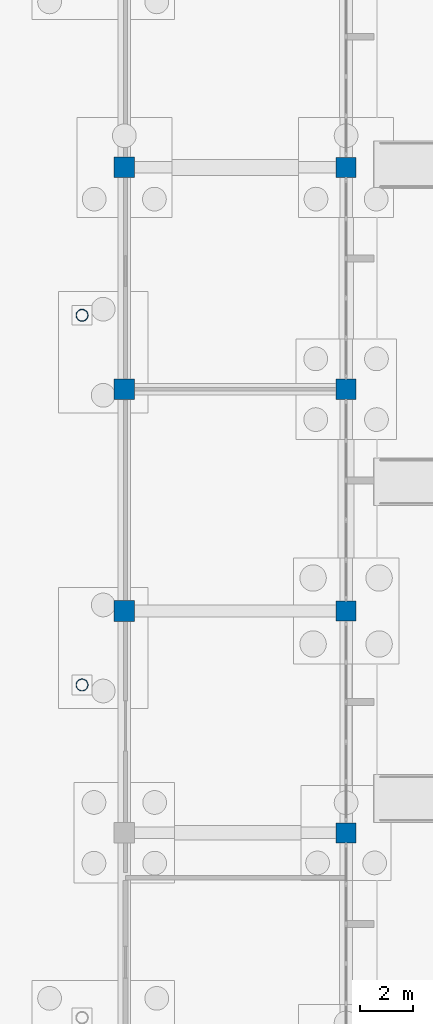
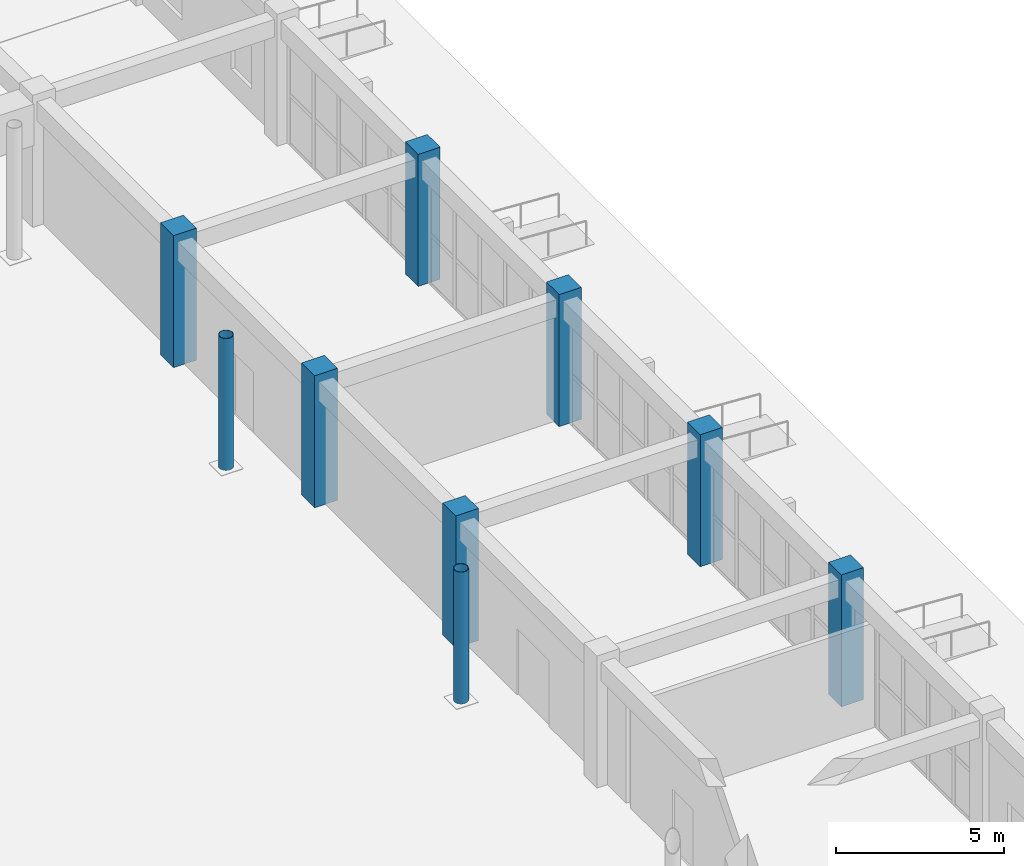
# One storey, part 43 of 192: 9 columns.
"""IFC4 building model written with IfcOpenShell, lengths in metres."""

from ifc_helpers import new_model, si_unit, direction, frame, origin, origin_2d, place, context, subcontext, project, spatial, rectangle, hollow_circle, extrude, material, material_profile, profile_set, type_object, element, save


model = new_model("IFC4")

# Units and contexts
model_context = context("Model", 3, precision=1e-05, world=origin(), true_north=direction((0.0, 1.0)))
body_context = subcontext(model_context, "Body", "Model", "MODEL_VIEW")
ifc_project = project(units=[si_unit("LENGTHUNIT", "METRE"), si_unit("AREAUNIT", "SQUARE_METRE"), si_unit("VOLUMEUNIT", "CUBIC_METRE"), si_unit("PLANEANGLEUNIT", "RADIAN"), si_unit("MASSUNIT", "GRAM", prefix="KILO")], contexts=[model_context])

# Site, building, storey
site_placement = place(None, origin())
site = spatial("IfcSite", under=ifc_project, at=site_placement, CompositionType="ELEMENT")
building_placement = place(site_placement, origin())
building = spatial("IfcBuilding", under=site, at=building_placement, Name="Trelvath General Hospital", CompositionType="ELEMENT")
storey_placement = place(building_placement, origin())
storey = spatial("IfcBuildingStorey", under=building, at=storey_placement, Name="L00", CompositionType="ELEMENT", Elevation=0.0)

# Columns
ifc_material_1 = material(Name="Concrete C40/50", Category="concrete")
ifc_material_profile_1 = material_profile(ifc_material_1, rectangle(XDim=0.760009765625, YDim=0.760009765625, at=origin_2d()), Name="RC760x760")
ifc_profile_set_1 = profile_set([ifc_material_profile_1], Name="Concrete C40/50")
column_type_1 = type_object("IfcColumnType", Name="Column RC760", PredefinedType="COLUMN", material=ifc_profile_set_1)
for number, where, z_axis, x_axis, name in (
    (1, (184.800048828125, 33.60009765625, 0.0), (0.0, 0.0, 1.0), (1.0, 0.0, 0.0), "Column C-23E L00"),
    (2, (184.800048828125, 42.0, 0.0), (0.0, 0.0, 1.0), (1.0, 0.0, 0.0), "Column C-23F L00"),
    (3, (184.800048828125, 50.39990234375, 0.0), (0.0, 0.0, 1.0), (1.0, 0.0, 0.0), "Column C-23G L00"),
    (4, (184.800048828125, 58.800048828125, 0.0), (0.0, 0.0, 1.0), (1.0, 0.0, 0.0), "Column C-23H L00"),
):
    element("IfcColumn", number, at=place(storey_placement, frame(where, z_axis=z_axis, x_axis=x_axis)), inside=storey, type_object=column_type_1, Name=name, PredefinedType="COLUMN", context=body_context, shape_type="SweptSolid", body=[
        extrude(rectangle(XDim=0.760009765625, YDim=0.760009765625, at=origin_2d()), origin(), (0.0, 0.0, 1.0), 4.800048828125),
    ])
ifc_material_2 = material(Name="Concrete C40/50", Category="concrete")
ifc_material_profile_2 = material_profile(ifc_material_2, rectangle(XDim=0.780029296875, YDim=0.780029296875, at=origin_2d()), Name="RC780x780")
ifc_profile_set_2 = profile_set([ifc_material_profile_2], Name="Concrete C40/50")
column_type_2 = type_object("IfcColumnType", Name="Column RC780", PredefinedType="COLUMN", material=ifc_profile_set_2)
for number, where, z_axis, x_axis, name in (
    (5, (176.39990234375, 42.0, 0.0), (0.0, 0.0, 1.0), (1.0, 0.0, 0.0), "Column C-22F L00"),
    (6, (176.39990234375, 50.39990234375, 0.0), (0.0, 0.0, 1.0), (1.0, 0.0, 0.0), "Column C-22G L00"),
    (7, (176.39990234375, 58.800048828125, 0.0), (0.0, 0.0, 1.0), (1.0, 0.0, 0.0), "Column C-22H L00"),
):
    element("IfcColumn", number, at=place(storey_placement, frame(where, z_axis=z_axis, x_axis=x_axis)), inside=storey, type_object=column_type_2, Name=name, PredefinedType="COLUMN", context=body_context, shape_type="SweptSolid", body=[
        extrude(rectangle(XDim=0.780029296875, YDim=0.780029296875, at=origin_2d()), origin(), (0.0, 0.0, 1.0), 4.800048828125),
    ])
ifc_material_3 = material(Name="Steel S355", Category="steel")
ifc_material_profile_3 = material_profile(ifc_material_3, hollow_circle(Radius=0.228515625, WallThickness=0.01611328125, at=origin_2d()), Name="CHS457.0x16.0")
ifc_profile_set_3 = profile_set([ifc_material_profile_3], Name="Steel S355")
column_type_3 = type_object("IfcColumnType", Name="TreeColumn CHS457", PredefinedType="COLUMN", material=ifc_profile_set_3)
for number, where, z_axis, x_axis, name in (
    (8, (174.800048828125, 39.199951171875, 0.0), (0.0, 0.0, 1.0), (1.0, 0.0, 0.0), "Space Frame Tree Column TC-06 L00"),
    (9, (174.800048828125, 53.199951171875, 0.0), (0.0, 0.0, 1.0), (1.0, 0.0, 0.0), "Space Frame Tree Column TC-07 L00"),
):
    element("IfcColumn", number, at=place(storey_placement, frame(where, z_axis=z_axis, x_axis=x_axis)), inside=storey, type_object=column_type_3, Name=name, PredefinedType="COLUMN", context=body_context, shape_type="SweptSolid", body=[
        extrude(hollow_circle(Radius=0.228515625, WallThickness=0.01611328125, at=origin_2d()), origin(), (0.0, 0.0, 1.0), 4.800048828125),
    ])

save(model, "model.ifc")
